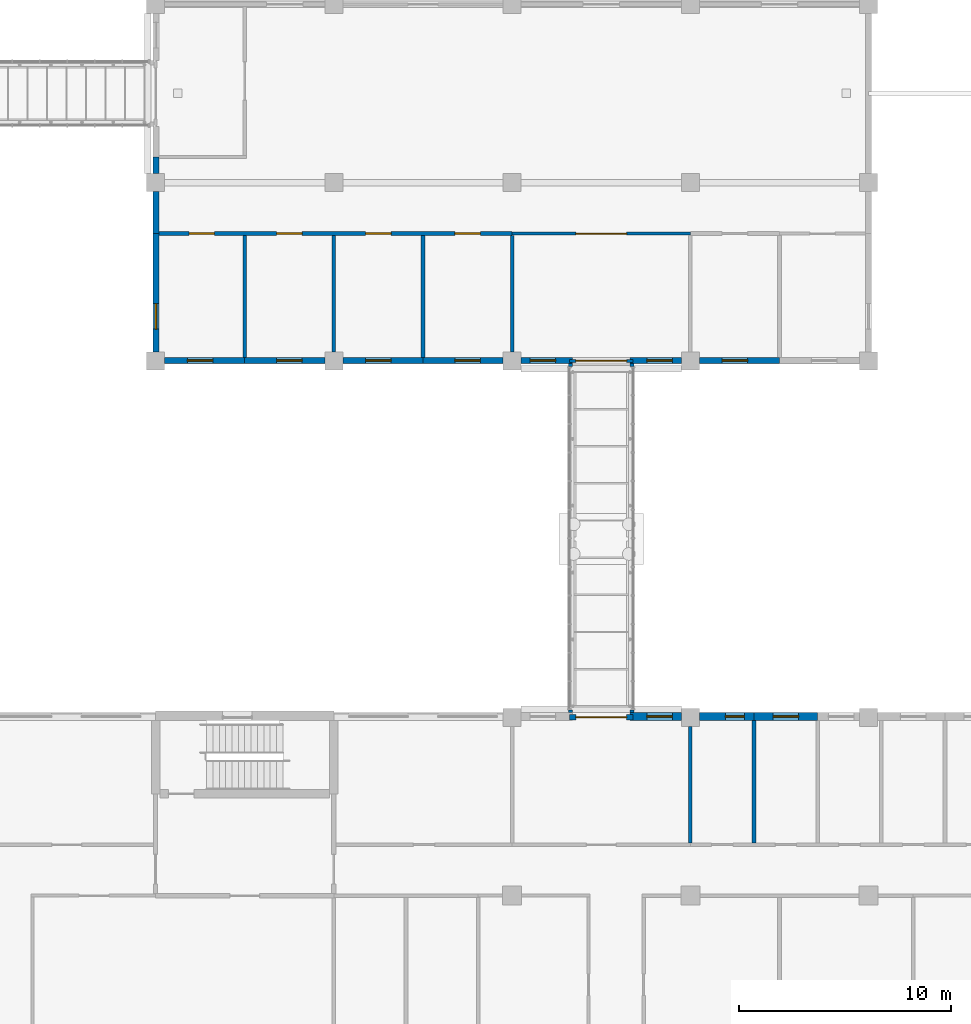
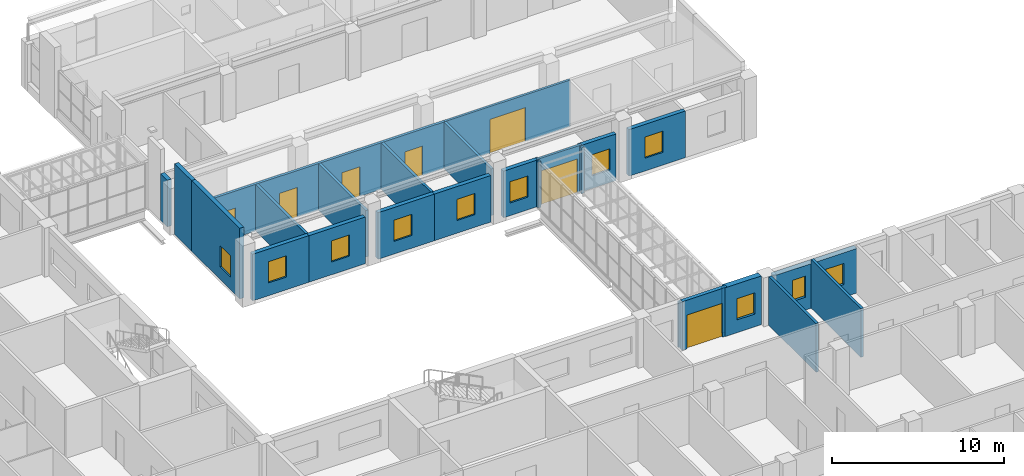
# One storey, part 57 of 94: 27 walls, 11 windows, 7 doors, 18 openings.
"""IFC4 building model written with IfcOpenShell, lengths in metres."""

from ifc_helpers import new_model, si_unit, direction, frame, frame_2d, origin, place, context, subcontext, project, spatial, rectangle, extrude, material, layer, layer_set, type_object, element, fill, save


model = new_model("IFC4")

# Units and contexts
model_context = context("Model", 3, precision=1e-05, world=origin(), true_north=direction((0.0, 1.0)))
body_context = subcontext(model_context, "Body", "Model", "MODEL_VIEW")
ifc_project = project(units=[si_unit("LENGTHUNIT", "METRE"), si_unit("AREAUNIT", "SQUARE_METRE"), si_unit("VOLUMEUNIT", "CUBIC_METRE"), si_unit("PLANEANGLEUNIT", "RADIAN"), si_unit("MASSUNIT", "GRAM", prefix="KILO")], contexts=[model_context])

# Site, building, storey
site_placement = place(None, origin())
site = spatial("IfcSite", under=ifc_project, at=site_placement, CompositionType="ELEMENT")
building_placement = place(site_placement, origin())
building = spatial("IfcBuilding", under=site, at=building_placement, Name="Yavir Park General Hospital", CompositionType="ELEMENT")
storey_placement = place(building_placement, frame((0.0, 0.0, 4.5)))
storey = spatial("IfcBuildingStorey", under=building, at=storey_placement, Name="L01", CompositionType="ELEMENT", Elevation=4.5)

# Wall, openings, doors
ifc_material_1 = material(Name="Double-leaf gypsum board acoustic partition on staggered studs")
ifc_layer_1 = layer(ifc_material_1, 0.175048828125)
ifc_layer_set_1 = layer_set([ifc_layer_1], Name="Double-leaf gypsum board acoustic partition on staggered studs")
wall_type_1 = type_object("IfcWallType", Name="Acoustic partition 175", PredefinedType="PARTITIONING", material=ifc_layer_set_1)
wall_1_placement = place(storey_placement, frame((33.75, 56.39990234375, 0.0), z_axis=(0.0, 0.0, 1.0), x_axis=(1.0, 0.0, 0.0)))
wall_1 = element("IfcWall", 1, at=wall_1_placement, inside=storey, type_object=wall_type_1, Name="AP175 L01-167", PredefinedType="PARTITIONING", context=body_context, shape_type="SweptSolid", body=[
    extrude(rectangle(XDim=16.64990234375, YDim=0.175048828125, at=frame_2d((8.324951171875, 0.0))), origin(), (0.0, 0.0, 1.0), 3.300048828125),
])
opening_1_placement = place(wall_1_placement, frame((1.425048828125, 0.0, 0.0)))
opening_1 = element("IfcOpeningElement", 2, at=opening_1_placement, cuts=wall_1, Name="Opening L01.D145", PredefinedType="OPENING", context=body_context, shape_type="SweptSolid", body=[
    extrude(rectangle(XDim=1.199951171875, YDim=2.10009765625, at=frame_2d((0.60009765625, 1.050048828125))), frame((0.0, 0.097412109375, 0.0), z_axis=(0.0, -1.0, 0.0), x_axis=(1.0, 0.0, 0.0)), (0.0, 0.0, 1.0), 0.195068359375),
])
opening_2_placement = place(wall_1_placement, frame((5.550048828125, 0.0, 0.0)))
opening_2 = element("IfcOpeningElement", 3, at=opening_2_placement, cuts=wall_1, Name="Opening L01.D146", PredefinedType="OPENING", context=body_context, shape_type="SweptSolid", body=[
    extrude(rectangle(XDim=1.199951171875, YDim=2.10009765625, at=frame_2d((0.60009765625, 1.050048828125))), frame((0.0, 0.097412109375, 0.0), z_axis=(0.0, -1.0, 0.0), x_axis=(1.0, 0.0, 0.0)), (0.0, 0.0, 1.0), 0.195068359375),
])
opening_3_placement = place(wall_1_placement, frame((9.75, 0.0, 0.0)))
opening_3 = element("IfcOpeningElement", 4, at=opening_3_placement, cuts=wall_1, Name="Opening L01.D147", PredefinedType="OPENING", context=body_context, shape_type="SweptSolid", body=[
    extrude(rectangle(XDim=1.199951171875, YDim=2.10009765625, at=frame_2d((0.60009765625, 1.050048828125))), frame((0.0, 0.097412109375, 0.0), z_axis=(0.0, -1.0, 0.0), x_axis=(1.0, 0.0, 0.0)), (0.0, 0.0, 1.0), 0.195068359375),
])
opening_4_placement = place(wall_1_placement, frame((13.949951171875, 0.0, 0.0)))
opening_4 = element("IfcOpeningElement", 5, at=opening_4_placement, cuts=wall_1, Name="Opening L01.D148", PredefinedType="OPENING", context=body_context, shape_type="SweptSolid", body=[
    extrude(rectangle(XDim=1.199951171875, YDim=2.10009765625, at=frame_2d((0.60009765625, 1.050048828125))), frame((0.0, 0.097412109375, 0.0), z_axis=(0.0, -1.0, 0.0), x_axis=(1.0, 0.0, 0.0)), (0.0, 0.0, 1.0), 0.195068359375),
])
ifc_material_2 = material(Name="Sealed solid-core acoustic door leaf, Rw 42 dB")
door_type_1 = type_object("IfcDoorType", Name="Acoustic door 1200 x 2100", OperationType="SINGLE_SWING_LEFT", PredefinedType="DOOR", material=ifc_material_2)
door_1_placement = place(opening_1_placement, origin())
door_1 = element("IfcDoor", 6, at=door_1_placement, inside=storey, type_object=door_type_1, Name="L01.D145", OperationType="SINGLE_SWING_RIGHT", OverallHeight=2.10009765625, OverallWidth=1.199951171875, PredefinedType="DOOR", context=body_context, shape_type="SweptSolid", body=[
    extrude(rectangle(XDim=1.199951171875, YDim=2.10009765625, at=frame_2d((0.60009765625, 1.050048828125))), frame((0.0, 0.03515625, 0.0), z_axis=(0.0, -1.0, 0.0), x_axis=(1.0, 0.0, 0.0)), (0.0, 0.0, 1.0), 0.070068359375),
])
fill(opening_1, door_1)
door_2_placement = place(opening_2_placement, origin())
door_2 = element("IfcDoor", 7, at=door_2_placement, inside=storey, type_object=door_type_1, Name="L01.D146", OperationType="SINGLE_SWING_LEFT", OverallHeight=2.10009765625, OverallWidth=1.199951171875, PredefinedType="DOOR", context=body_context, shape_type="SweptSolid", body=[
    extrude(rectangle(XDim=1.199951171875, YDim=2.10009765625, at=frame_2d((0.60009765625, 1.050048828125))), frame((0.0, 0.03515625, 0.0), z_axis=(0.0, -1.0, 0.0), x_axis=(1.0, 0.0, 0.0)), (0.0, 0.0, 1.0), 0.070068359375),
])
fill(opening_2, door_2)
door_3_placement = place(opening_3_placement, origin())
door_3 = element("IfcDoor", 8, at=door_3_placement, inside=storey, type_object=door_type_1, Name="L01.D147", OperationType="SINGLE_SWING_LEFT", OverallHeight=2.10009765625, OverallWidth=1.199951171875, PredefinedType="DOOR", context=body_context, shape_type="SweptSolid", body=[
    extrude(rectangle(XDim=1.199951171875, YDim=2.10009765625, at=frame_2d((0.60009765625, 1.050048828125))), frame((0.0, 0.03515625, 0.0), z_axis=(0.0, -1.0, 0.0), x_axis=(1.0, 0.0, 0.0)), (0.0, 0.0, 1.0), 0.070068359375),
])
fill(opening_3, door_3)
door_4_placement = place(opening_4_placement, origin())
door_4 = element("IfcDoor", 9, at=door_4_placement, inside=storey, type_object=door_type_1, Name="L01.D148", OperationType="SINGLE_SWING_LEFT", OverallHeight=2.10009765625, OverallWidth=1.199951171875, PredefinedType="DOOR", context=body_context, shape_type="SweptSolid", body=[
    extrude(rectangle(XDim=1.199951171875, YDim=2.10009765625, at=frame_2d((0.60009765625, 1.050048828125))), frame((0.0, 0.03515625, 0.0), z_axis=(0.0, -1.0, 0.0), x_axis=(1.0, 0.0, 0.0)), (0.0, 0.0, 1.0), 0.070068359375),
])
fill(opening_4, door_4)

# Walls
wall_2_placement = place(storey_placement, frame((37.800048828125, 50.550048828125, 0.0), z_axis=(0.0, 0.0, 1.0), x_axis=(0.0, 1.0, 0.0)))
element("IfcWall", 10, at=wall_2_placement, inside=storey, type_object=wall_type_1, Name="AP175 L01-332", PredefinedType="PARTITIONING", context=body_context, shape_type="SweptSolid", body=[
    extrude(rectangle(XDim=5.762451171875, YDim=0.175048828125, at=frame_2d((2.88134765625, 0.0))), origin(), (0.0, 0.0, 1.0), 3.300048828125),
])
wall_3_placement = place(storey_placement, frame((42.0, 50.824951171875, 0.0), z_axis=(0.0, 0.0, 1.0), x_axis=(0.0, 1.0, 0.0)))
element("IfcWall", 11, at=wall_3_placement, inside=storey, type_object=wall_type_1, Name="AP175 L01-339", PredefinedType="PARTITIONING", context=body_context, shape_type="SweptSolid", body=[
    extrude(rectangle(XDim=5.487548828125, YDim=0.175048828125, at=frame_2d((2.74365234375, 0.0))), origin(), (0.0, 0.0, 1.0), 3.300048828125),
])
wall_4_placement = place(storey_placement, frame((46.199951171875, 50.550048828125, 0.0), z_axis=(0.0, 0.0, 1.0), x_axis=(0.0, 1.0, 0.0)))
element("IfcWall", 12, at=wall_4_placement, inside=storey, type_object=wall_type_1, Name="AP175 L01-345", PredefinedType="PARTITIONING", context=body_context, shape_type="SweptSolid", body=[
    extrude(rectangle(XDim=5.762451171875, YDim=0.175048828125, at=frame_2d((2.88134765625, 0.0))), origin(), (0.0, 0.0, 1.0), 3.300048828125),
])
wall_5_placement = place(storey_placement, frame((50.39990234375, 50.824951171875, 0.0), z_axis=(0.0, 0.0, 1.0), x_axis=(0.0, 1.0, 0.0)))
element("IfcWall", 13, at=wall_5_placement, inside=storey, type_object=wall_type_1, Name="AP175 L01-350", PredefinedType="PARTITIONING", context=body_context, shape_type="SweptSolid", body=[
    extrude(rectangle(XDim=5.487548828125, YDim=0.175048828125, at=frame_2d((2.74365234375, 0.0))), origin(), (0.0, 0.0, 1.0), 3.300048828125),
])
wall_6_placement = place(storey_placement, frame((58.800048828125, 27.6875, 0.0), z_axis=(0.0, 0.0, 1.0), x_axis=(0.0, 1.0, 0.0)))
element("IfcWall", 14, at=wall_6_placement, inside=storey, type_object=wall_type_1, Name="AP175 L01-361", PredefinedType="PARTITIONING", context=body_context, shape_type="SweptSolid", body=[
    extrude(rectangle(XDim=5.487548828125, YDim=0.175048828125, at=frame_2d((2.74365234375, 0.0))), origin(), (0.0, 0.0, 1.0), 3.449951171875),
])
wall_7_placement = place(storey_placement, frame((61.800048828125, 27.6875, 0.0), z_axis=(0.0, 0.0, 1.0), x_axis=(0.0, 1.0, 0.0)))
element("IfcWall", 15, at=wall_7_placement, inside=storey, type_object=wall_type_1, Name="AP175 L01-368", PredefinedType="PARTITIONING", context=body_context, shape_type="SweptSolid", body=[
    extrude(rectangle(XDim=5.762451171875, YDim=0.175048828125, at=frame_2d((2.88134765625, 0.0))), origin(), (0.0, 0.0, 1.0), 3.449951171875),
])

# Wall, opening, window
ifc_material_3 = material(Name="Brick slip cladding on insulated block backing", Category="masonry")
ifc_layer_2 = layer(ifc_material_3, 0.27490234375)
ifc_layer_set_2 = layer_set([ifc_layer_2], Name="Brick slip cladding on insulated block backing")
wall_type_2 = type_object("IfcWallType", Name="Brick slip faced pavilion wall 275, E 30", PredefinedType="SOLIDWALL", material=ifc_layer_set_2)
wall_8_placement = place(storey_placement, frame((34.02490234375, 50.41259765625, 0.0), z_axis=(0.0, 0.0, 1.0), x_axis=(1.0, 0.0, 0.0)))
wall_8 = element("IfcWall", 16, at=wall_8_placement, inside=storey, type_object=wall_type_2, Name="XW3 L01-089", PredefinedType="SOLIDWALL", context=body_context, shape_type="SweptSolid", body=[
    extrude(rectangle(XDim=3.775146484375, YDim=0.27490234375, at=frame_2d((1.8876953125, 0.0))), origin(), (0.0, 0.0, 1.0), 3.300048828125),
])
opening_5_placement = place(wall_8_placement, frame((1.074951171875, 0.0, 0.89990234375)))
opening_5 = element("IfcOpeningElement", 17, at=opening_5_placement, cuts=wall_8, Name="Opening WD", PredefinedType="OPENING", context=body_context, shape_type="SweptSolid", body=[
    extrude(rectangle(XDim=1.199951171875, YDim=1.5, at=frame_2d((0.60009765625, 0.75))), frame((0.0, 0.1474609375, 0.0), z_axis=(0.0, -1.0, 0.0), x_axis=(1.0, 0.0, 0.0)), (0.0, 0.0, 1.0), 0.294921875),
])
ifc_material_4 = material(Name="Aluminium frame, double glazed unit", Category="aluminium")
window_type_1 = type_object("IfcWindowType", Name="Office window 1200 x 1500", PartitioningType="SINGLE_PANEL", PredefinedType="WINDOW", material=ifc_material_4)
window_1_placement = place(opening_5_placement, origin())
window_1 = element("IfcWindow", 18, at=window_1_placement, inside=storey, type_object=window_type_1, Name="WD L01-055", OverallHeight=1.5, OverallWidth=1.199951171875, PartitioningType="SINGLE_PANEL", PredefinedType="WINDOW", context=body_context, shape_type="SweptSolid", body=[
    extrude(rectangle(XDim=1.199951171875, YDim=1.5, at=frame_2d((0.60009765625, 0.75))), frame((0.0, 0.030029296875, 0.0), z_axis=(0.0, -1.0, 0.0), x_axis=(1.0, 0.0, 0.0)), (0.0, 0.0, 1.0), 0.06005859375),
])
fill(opening_5, window_1)

wall_9_placement = place(storey_placement, frame((37.800048828125, 50.41259765625, 0.0), z_axis=(0.0, 0.0, 1.0), x_axis=(1.0, 0.0, 0.0)))
wall_9 = element("IfcWall", 19, at=wall_9_placement, inside=storey, type_object=wall_type_2, Name="XW3 L01-090", PredefinedType="SOLIDWALL", context=body_context, shape_type="SweptSolid", body=[
    extrude(rectangle(XDim=3.77490234375, YDim=0.27490234375, at=frame_2d((1.887451171875, 0.0))), origin(), (0.0, 0.0, 1.0), 3.300048828125),
])
opening_6_placement = place(wall_9_placement, frame((1.5, 0.0, 0.89990234375)))
opening_6 = element("IfcOpeningElement", 20, at=opening_6_placement, cuts=wall_9, Name="Opening WD", PredefinedType="OPENING", context=body_context, shape_type="SweptSolid", body=[
    extrude(rectangle(XDim=1.199951171875, YDim=1.5, at=frame_2d((0.60009765625, 0.75))), frame((0.0, 0.1474609375, 0.0), z_axis=(0.0, -1.0, 0.0), x_axis=(1.0, 0.0, 0.0)), (0.0, 0.0, 1.0), 0.294921875),
])
window_2_placement = place(opening_6_placement, origin())
window_2 = element("IfcWindow", 21, at=window_2_placement, inside=storey, type_object=window_type_1, Name="WD L01-056", OverallHeight=1.5, OverallWidth=1.199951171875, PartitioningType="SINGLE_PANEL", PredefinedType="WINDOW", context=body_context, shape_type="SweptSolid", body=[
    extrude(rectangle(XDim=1.199951171875, YDim=1.5, at=frame_2d((0.60009765625, 0.75))), frame((0.0, 0.030029296875, 0.0), z_axis=(0.0, -1.0, 0.0), x_axis=(1.0, 0.0, 0.0)), (0.0, 0.0, 1.0), 0.06005859375),
])
fill(opening_6, window_2)

wall_10_placement = place(storey_placement, frame((42.425048828125, 50.41259765625, 0.0), z_axis=(0.0, 0.0, 1.0), x_axis=(1.0, 0.0, 0.0)))
wall_10 = element("IfcWall", 22, at=wall_10_placement, inside=storey, type_object=wall_type_2, Name="XW3 L01-091", PredefinedType="SOLIDWALL", context=body_context, shape_type="SweptSolid", body=[
    extrude(rectangle(XDim=3.77490234375, YDim=0.27490234375, at=frame_2d((1.887451171875, 0.0))), origin(), (0.0, 0.0, 1.0), 3.300048828125),
])
opening_7_placement = place(wall_10_placement, frame((1.074951171875, 0.0, 0.89990234375)))
opening_7 = element("IfcOpeningElement", 23, at=opening_7_placement, cuts=wall_10, Name="Opening WD", PredefinedType="OPENING", context=body_context, shape_type="SweptSolid", body=[
    extrude(rectangle(XDim=1.199951171875, YDim=1.5, at=frame_2d((0.60009765625, 0.75))), frame((0.0, 0.1474609375, 0.0), z_axis=(0.0, -1.0, 0.0), x_axis=(1.0, 0.0, 0.0)), (0.0, 0.0, 1.0), 0.294921875),
])
window_3_placement = place(opening_7_placement, origin())
window_3 = element("IfcWindow", 24, at=window_3_placement, inside=storey, type_object=window_type_1, Name="WD L01-057", OverallHeight=1.5, OverallWidth=1.199951171875, PartitioningType="SINGLE_PANEL", PredefinedType="WINDOW", context=body_context, shape_type="SweptSolid", body=[
    extrude(rectangle(XDim=1.199951171875, YDim=1.5, at=frame_2d((0.60009765625, 0.75))), frame((0.0, 0.030029296875, 0.0), z_axis=(0.0, -1.0, 0.0), x_axis=(1.0, 0.0, 0.0)), (0.0, 0.0, 1.0), 0.06005859375),
])
fill(opening_7, window_3)

wall_11_placement = place(storey_placement, frame((46.199951171875, 50.41259765625, 0.0), z_axis=(0.0, 0.0, 1.0), x_axis=(1.0, 0.0, 0.0)))
wall_11 = element("IfcWall", 25, at=wall_11_placement, inside=storey, type_object=wall_type_2, Name="XW3 L01-092", PredefinedType="SOLIDWALL", context=body_context, shape_type="SweptSolid", body=[
    extrude(rectangle(XDim=3.775146484375, YDim=0.27490234375, at=frame_2d((1.8876953125, 0.0))), origin(), (0.0, 0.0, 1.0), 3.300048828125),
])
opening_8_placement = place(wall_11_placement, frame((1.5, 0.0, 0.89990234375)))
opening_8 = element("IfcOpeningElement", 26, at=opening_8_placement, cuts=wall_11, Name="Opening WD", PredefinedType="OPENING", context=body_context, shape_type="SweptSolid", body=[
    extrude(rectangle(XDim=1.199951171875, YDim=1.5, at=frame_2d((0.60009765625, 0.75))), frame((0.0, 0.1474609375, 0.0), z_axis=(0.0, -1.0, 0.0), x_axis=(1.0, 0.0, 0.0)), (0.0, 0.0, 1.0), 0.294921875),
])
window_4_placement = place(opening_8_placement, origin())
window_4 = element("IfcWindow", 27, at=window_4_placement, inside=storey, type_object=window_type_1, Name="WD L01-058", OverallHeight=1.5, OverallWidth=1.199951171875, PartitioningType="SINGLE_PANEL", PredefinedType="WINDOW", context=body_context, shape_type="SweptSolid", body=[
    extrude(rectangle(XDim=1.199951171875, YDim=1.5, at=frame_2d((0.60009765625, 0.75))), frame((0.0, 0.030029296875, 0.0), z_axis=(0.0, -1.0, 0.0), x_axis=(1.0, 0.0, 0.0)), (0.0, 0.0, 1.0), 0.06005859375),
])
fill(opening_8, window_4)

wall_12_placement = place(storey_placement, frame((50.824951171875, 50.41259765625, 0.0), z_axis=(0.0, 0.0, 1.0), x_axis=(1.0, 0.0, 0.0)))
wall_12 = element("IfcWall", 28, at=wall_12_placement, inside=storey, type_object=wall_type_2, Name="XW3 L01-093", PredefinedType="SOLIDWALL", context=body_context, shape_type="SweptSolid", body=[
    extrude(rectangle(XDim=2.425048828125, YDim=0.27490234375, at=frame_2d((1.21240234375, 0.0))), origin(), (0.0, 0.0, 1.0), 3.300048828125),
])
opening_9_placement = place(wall_12_placement, frame((0.425048828125, 0.0, 0.89990234375)))
opening_9 = element("IfcOpeningElement", 29, at=opening_9_placement, cuts=wall_12, Name="Opening WD", PredefinedType="OPENING", context=body_context, shape_type="SweptSolid", body=[
    extrude(rectangle(XDim=1.199951171875, YDim=1.5, at=frame_2d((0.60009765625, 0.75))), frame((0.0, 0.1474609375, 0.0), z_axis=(0.0, -1.0, 0.0), x_axis=(1.0, 0.0, 0.0)), (0.0, 0.0, 1.0), 0.294921875),
])
window_5_placement = place(opening_9_placement, origin())
window_5 = element("IfcWindow", 30, at=window_5_placement, inside=storey, type_object=window_type_1, Name="WD L01-059", OverallHeight=1.5, OverallWidth=1.199951171875, PartitioningType="SINGLE_PANEL", PredefinedType="WINDOW", context=body_context, shape_type="SweptSolid", body=[
    extrude(rectangle(XDim=1.199951171875, YDim=1.5, at=frame_2d((0.60009765625, 0.75))), frame((0.0, 0.030029296875, 0.0), z_axis=(0.0, -1.0, 0.0), x_axis=(1.0, 0.0, 0.0)), (0.0, 0.0, 1.0), 0.06005859375),
])
fill(opening_9, window_5)

wall_13_placement = place(storey_placement, frame((55.949951171875, 50.41259765625, 0.0), z_axis=(0.0, 0.0, 1.0), x_axis=(1.0, 0.0, 0.0)))
wall_13 = element("IfcWall", 31, at=wall_13_placement, inside=storey, type_object=wall_type_2, Name="XW3 L01-094", PredefinedType="SOLIDWALL", context=body_context, shape_type="SweptSolid", body=[
    extrude(rectangle(XDim=2.425048828125, YDim=0.27490234375, at=frame_2d((1.21240234375, 0.0))), origin(), (0.0, 0.0, 1.0), 3.300048828125),
])
opening_10_placement = place(wall_13_placement, frame((0.800048828125, 0.0, 0.89990234375)))
opening_10 = element("IfcOpeningElement", 32, at=opening_10_placement, cuts=wall_13, Name="Opening WD", PredefinedType="OPENING", context=body_context, shape_type="SweptSolid", body=[
    extrude(rectangle(XDim=1.199951171875, YDim=1.5, at=frame_2d((0.60009765625, 0.75))), frame((0.0, 0.1474609375, 0.0), z_axis=(0.0, -1.0, 0.0), x_axis=(1.0, 0.0, 0.0)), (0.0, 0.0, 1.0), 0.294921875),
])
window_6_placement = place(opening_10_placement, origin())
window_6 = element("IfcWindow", 33, at=window_6_placement, inside=storey, type_object=window_type_1, Name="WD L01-060", OverallHeight=1.5, OverallWidth=1.199951171875, PartitioningType="SINGLE_PANEL", PredefinedType="WINDOW", context=body_context, shape_type="SweptSolid", body=[
    extrude(rectangle(XDim=1.199951171875, YDim=1.5, at=frame_2d((0.60009765625, 0.75))), frame((0.0, 0.030029296875, 0.0), z_axis=(0.0, -1.0, 0.0), x_axis=(1.0, 0.0, 0.0)), (0.0, 0.0, 1.0), 0.06005859375),
])
fill(opening_10, window_6)

wall_14_placement = place(storey_placement, frame((59.22509765625, 50.41259765625, 0.0), z_axis=(0.0, 0.0, 1.0), x_axis=(1.0, 0.0, 0.0)))
wall_14 = element("IfcWall", 34, at=wall_14_placement, inside=storey, type_object=wall_type_2, Name="XW3 L01-095", PredefinedType="SOLIDWALL", context=body_context, shape_type="SweptSolid", body=[
    extrude(rectangle(XDim=3.77490234375, YDim=0.27490234375, at=frame_2d((1.887451171875, 0.0))), origin(), (0.0, 0.0, 1.0), 3.300048828125),
])
opening_11_placement = place(wall_14_placement, frame((1.074951171875, 0.0, 0.89990234375)))
opening_11 = element("IfcOpeningElement", 35, at=opening_11_placement, cuts=wall_14, Name="Opening WD", PredefinedType="OPENING", context=body_context, shape_type="SweptSolid", body=[
    extrude(rectangle(XDim=1.199951171875, YDim=1.5, at=frame_2d((0.60009765625, 0.75))), frame((0.0, 0.1474609375, 0.0), z_axis=(0.0, -1.0, 0.0), x_axis=(1.0, 0.0, 0.0)), (0.0, 0.0, 1.0), 0.294921875),
])
window_7_placement = place(opening_11_placement, origin())
window_7 = element("IfcWindow", 36, at=window_7_placement, inside=storey, type_object=window_type_1, Name="WD L01-061", OverallHeight=1.5, OverallWidth=1.199951171875, PartitioningType="SINGLE_PANEL", PredefinedType="WINDOW", context=body_context, shape_type="SweptSolid", body=[
    extrude(rectangle(XDim=1.199951171875, YDim=1.5, at=frame_2d((0.60009765625, 0.75))), frame((0.0, 0.030029296875, 0.0), z_axis=(0.0, -1.0, 0.0), x_axis=(1.0, 0.0, 0.0)), (0.0, 0.0, 1.0), 0.06005859375),
])
fill(opening_11, window_7)

wall_15_placement = place(storey_placement, frame((33.612548828125, 50.824951171875, 0.0), z_axis=(0.0, 0.0, 1.0), x_axis=(0.0, 1.0, 0.0)))
wall_15 = element("IfcWall", 37, at=wall_15_placement, inside=storey, type_object=wall_type_2, Name="XW3 L01-173", PredefinedType="SOLIDWALL", context=body_context, shape_type="SweptSolid", body=[
    extrude(rectangle(XDim=5.574951171875, YDim=0.27490234375, at=frame_2d((2.78759765625, 0.0))), origin(), (0.0, 0.0, 1.0), 5.0),
])
opening_12_placement = place(wall_15_placement, frame((1.074951171875, 0.0, 0.89990234375)))
opening_12 = element("IfcOpeningElement", 38, at=opening_12_placement, cuts=wall_15, Name="Opening WD", PredefinedType="OPENING", context=body_context, shape_type="SweptSolid", body=[
    extrude(rectangle(XDim=1.199951171875, YDim=1.5, at=frame_2d((0.60009765625, 0.75))), frame((0.0, 0.1474609375, 0.0), z_axis=(0.0, -1.0, 0.0), x_axis=(1.0, 0.0, 0.0)), (0.0, 0.0, 1.0), 0.294921875),
])
window_8_placement = place(opening_12_placement, origin())
window_8 = element("IfcWindow", 39, at=window_8_placement, inside=storey, type_object=window_type_1, Name="WD L01-100", OverallHeight=1.5, OverallWidth=1.199951171875, PartitioningType="SINGLE_PANEL", PredefinedType="WINDOW", context=body_context, shape_type="SweptSolid", body=[
    extrude(rectangle(XDim=1.199951171875, YDim=1.5, at=frame_2d((0.60009765625, 0.75))), frame((0.0, 0.030029296875, 0.0), z_axis=(0.0, -1.0, 0.0), x_axis=(1.0, 0.0, 0.0)), (0.0, 0.0, 1.0), 0.06005859375),
])
fill(opening_12, window_8)

# Walls
wall_16_placement = place(storey_placement, frame((33.612548828125, 56.39990234375, 0.0), z_axis=(0.0, 0.0, 1.0), x_axis=(0.0, 1.0, 0.0)))
element("IfcWall", 40, at=wall_16_placement, inside=storey, type_object=wall_type_2, Name="XW3 L01-174", PredefinedType="SOLIDWALL", context=body_context, shape_type="SweptSolid", body=[
    extrude(rectangle(XDim=1.97509765625, YDim=0.27490234375, at=frame_2d((0.987548828125, 0.0))), origin(), (0.0, 0.0, 1.0), 5.0),
])
wall_17_placement = place(storey_placement, frame((33.612548828125, 59.22509765625, 0.0), z_axis=(0.0, 0.0, 1.0), x_axis=(0.0, 1.0, 0.0)))
element("IfcWall", 41, at=wall_17_placement, inside=storey, type_object=wall_type_2, Name="XW3 L01-175", PredefinedType="SOLIDWALL", context=body_context, shape_type="SweptSolid", body=[
    extrude(rectangle(XDim=0.77490234375, YDim=0.27490234375, at=frame_2d((0.387451171875, 0.0))), origin(), (0.0, 0.0, 1.0), 3.300048828125),
])

# Wall, opening, door
ifc_material_5 = material(Name="Concrete C30/37", Category="concrete")
ifc_layer_3 = layer(ifc_material_5, 0.25)
ifc_layer_set_3 = layer_set([ifc_layer_3], Name="Concrete C30/37")
wall_type_3 = type_object("IfcWallType", Name="Compartment fire wall 250, REI 150", PredefinedType="SOLIDWALL", material=ifc_layer_set_3)
wall_18_placement = place(storey_placement, frame((53.10009765625, 33.60009765625, 0.0), z_axis=(0.0, 0.0, 1.0), x_axis=(1.0, 0.0, 0.0)))
wall_18 = element("IfcWall", 42, at=wall_18_placement, inside=storey, type_object=wall_type_3, Name="FW25 L01-131", PredefinedType="SOLIDWALL", context=body_context, shape_type="SweptSolid", body=[
    extrude(rectangle(XDim=3.0, YDim=0.25, at=frame_2d((1.5, 0.0))), origin(), (0.0, 0.0, 1.0), 3.449951171875),
])
opening_13_placement = place(wall_18_placement, frame((0.300048828125, 0.0, 0.0)))
opening_13 = element("IfcOpeningElement", 43, at=opening_13_placement, cuts=wall_18, Name="Opening L01.D143", PredefinedType="OPENING", context=body_context, shape_type="SweptSolid", body=[
    extrude(rectangle(XDim=2.39990234375, YDim=2.39990234375, at=frame_2d((1.199951171875, 1.199951171875))), frame((0.0, 0.135009765625, 0.0), z_axis=(0.0, -1.0, 0.0), x_axis=(1.0, 0.0, 0.0)), (0.0, 0.0, 1.0), 0.27001953125),
])
ifc_material_6 = material(Name="Steel frame, fire-resisting timber leaves", Category="steel")
door_type_2 = type_object("IfcDoorType", Name="Double fire door 2400 x 2400, EI 60", OperationType="DOUBLE_DOOR_SINGLE_SWING", PredefinedType="DOOR", material=ifc_material_6)
door_5_placement = place(opening_13_placement, origin())
door_5 = element("IfcDoor", 44, at=door_5_placement, inside=storey, type_object=door_type_2, Name="L01.D143", OperationType="SINGLE_SWING_LEFT", OverallHeight=2.39990234375, OverallWidth=2.39990234375, PredefinedType="DOOR", context=body_context, shape_type="SweptSolid", body=[
    extrude(rectangle(XDim=2.39990234375, YDim=2.39990234375, at=frame_2d((1.199951171875, 1.199951171875))), frame((0.0, 0.02490234375, 0.0), z_axis=(0.0, -1.0, 0.0), x_axis=(1.0, 0.0, 0.0)), (0.0, 0.0, 1.0), 0.050048828125),
])
fill(opening_13, door_5)

# Walls
ifc_material_7 = material(Name="Aluminium glazing frame wall with insulated infill", Category="aluminium")
ifc_layer_4 = layer(ifc_material_7, 0.199951171875)
ifc_layer_set_4 = layer_set([ifc_layer_4], Name="Aluminium glazing frame wall with insulated infill")
wall_type_4 = type_object("IfcWallType", Name="Glazing frame wall 200, E 30", PredefinedType="SOLIDWALL", material=ifc_layer_set_4)
wall_19_placement = place(storey_placement, frame((53.14990234375, 33.824951171875, 0.0), z_axis=(0.0, 0.0, 1.0), x_axis=(0.0, 1.0, 0.0)))
element("IfcWall", 45, at=wall_19_placement, inside=storey, type_object=wall_type_4, Name="XW9 L01-182", PredefinedType="SOLIDWALL", context=body_context, shape_type="SweptSolid", body=[
    extrude(rectangle(XDim=0.125, YDim=0.199951171875, at=frame_2d((0.0625, 0.0))), origin(), (0.0, 0.0, 1.0), 3.25),
])
wall_20_placement = place(storey_placement, frame((53.14990234375, 50.125, 0.0), z_axis=(0.0, 0.0, 1.0), x_axis=(0.0, 1.0, 0.0)))
element("IfcWall", 46, at=wall_20_placement, inside=storey, type_object=wall_type_4, Name="XW9 L01-183", PredefinedType="SOLIDWALL", context=body_context, shape_type="SweptSolid", body=[
    extrude(rectangle(XDim=0.14990234375, YDim=0.199951171875, at=frame_2d((0.074951171875, 0.0))), origin(), (0.0, 0.0, 1.0), 3.25),
])
wall_21_placement = place(storey_placement, frame((56.050048828125, 33.824951171875, 0.0), z_axis=(0.0, 0.0, 1.0), x_axis=(0.0, 1.0, 0.0)))
element("IfcWall", 47, at=wall_21_placement, inside=storey, type_object=wall_type_4, Name="XW9 L01-184", PredefinedType="SOLIDWALL", context=body_context, shape_type="SweptSolid", body=[
    extrude(rectangle(XDim=0.125, YDim=0.199951171875, at=frame_2d((0.0625, 0.0))), origin(), (0.0, 0.0, 1.0), 3.25),
])
wall_22_placement = place(storey_placement, frame((56.050048828125, 50.125, 0.0), z_axis=(0.0, 0.0, 1.0), x_axis=(0.0, 1.0, 0.0)))
element("IfcWall", 48, at=wall_22_placement, inside=storey, type_object=wall_type_4, Name="XW9 L01-185", PredefinedType="SOLIDWALL", context=body_context, shape_type="SweptSolid", body=[
    extrude(rectangle(XDim=0.14990234375, YDim=0.199951171875, at=frame_2d((0.074951171875, 0.0))), origin(), (0.0, 0.0, 1.0), 3.25),
])

# Wall, opening, door
ifc_material_8 = material(Name="Gypsum board partition on steel studs", Category="steel")
ifc_layer_5 = layer(ifc_material_8, 0.14990234375)
ifc_layer_set_5 = layer_set([ifc_layer_5], Name="Gypsum board partition on steel studs")
wall_type_5 = type_object("IfcWallType", Name="Gypsum board partition 150", PredefinedType="PARTITIONING", material=ifc_layer_set_5)
wall_23_placement = place(storey_placement, frame((53.10009765625, 50.39990234375, 0.0), z_axis=(0.0, 0.0, 1.0), x_axis=(1.0, 0.0, 0.0)))
wall_23 = element("IfcWall", 49, at=wall_23_placement, inside=storey, type_object=wall_type_5, Name="P15 L01-157", PredefinedType="PARTITIONING", context=body_context, shape_type="SweptSolid", body=[
    extrude(rectangle(XDim=3.0, YDim=0.14990234375, at=frame_2d((1.5, 0.0))), origin(), (0.0, 0.0, 1.0), 3.300048828125),
])
opening_14_placement = place(wall_23_placement, frame((0.300048828125, 0.0, 0.0)))
opening_14 = element("IfcOpeningElement", 50, at=opening_14_placement, cuts=wall_23, Name="Opening L01.D144", PredefinedType="OPENING", context=body_context, shape_type="SweptSolid", body=[
    extrude(rectangle(XDim=2.39990234375, YDim=2.39990234375, at=frame_2d((1.199951171875, 1.199951171875))), frame((0.0, 0.0849609375, 0.0), z_axis=(0.0, -1.0, 0.0), x_axis=(1.0, 0.0, 0.0)), (0.0, 0.0, 1.0), 0.169921875),
])
ifc_material_9 = material(Name="Aluminium frame, toughened glass leaves", Category="aluminium")
door_type_3 = type_object("IfcDoorType", Name="Double sliding door 2400 x 2400", OperationType="DOUBLE_DOOR_SLIDING", PredefinedType="DOOR", material=ifc_material_9)
door_6_placement = place(opening_14_placement, origin())
door_6 = element("IfcDoor", 51, at=door_6_placement, inside=storey, type_object=door_type_3, Name="L01.D144", OperationType="DOUBLE_DOOR_SLIDING", OverallHeight=2.39990234375, OverallWidth=2.39990234375, PredefinedType="DOOR", context=body_context, shape_type="SweptSolid", body=[
    extrude(rectangle(XDim=2.39990234375, YDim=2.39990234375, at=frame_2d((1.199951171875, 1.199951171875))), frame((0.0, 0.02490234375, 0.0), z_axis=(0.0, -1.0, 0.0), x_axis=(1.0, 0.0, 0.0)), (0.0, 0.0, 1.0), 0.050048828125),
])
fill(opening_14, door_6)

wall_24_placement = place(storey_placement, frame((50.39990234375, 56.39990234375, 0.0), z_axis=(0.0, 0.0, 1.0), x_axis=(1.0, 0.0, 0.0)))
wall_24 = element("IfcWall", 52, at=wall_24_placement, inside=storey, type_object=wall_type_5, Name="P15 L01-168", PredefinedType="PARTITIONING", context=body_context, shape_type="SweptSolid", body=[
    extrude(rectangle(XDim=8.400146484375, YDim=0.14990234375, at=frame_2d((4.2001953125, 0.0))), origin(), (0.0, 0.0, 1.0), 3.300048828125),
])
opening_15_placement = place(wall_24_placement, frame((3.0, 0.0, 0.0)))
opening_15 = element("IfcOpeningElement", 53, at=opening_15_placement, cuts=wall_24, Name="Opening L01.D149", PredefinedType="OPENING", context=body_context, shape_type="SweptSolid", body=[
    extrude(rectangle(XDim=2.39990234375, YDim=2.39990234375, at=frame_2d((1.199951171875, 1.199951171875))), frame((0.0, 0.0849609375, 0.0), z_axis=(0.0, -1.0, 0.0), x_axis=(1.0, 0.0, 0.0)), (0.0, 0.0, 1.0), 0.169921875),
])
door_7_placement = place(opening_15_placement, origin())
door_7 = element("IfcDoor", 54, at=door_7_placement, inside=storey, type_object=door_type_3, Name="L01.D149", OperationType="DOUBLE_DOOR_SLIDING", OverallHeight=2.39990234375, OverallWidth=2.39990234375, PredefinedType="DOOR", context=body_context, shape_type="SweptSolid", body=[
    extrude(rectangle(XDim=2.39990234375, YDim=2.39990234375, at=frame_2d((1.199951171875, 1.199951171875))), frame((0.0, 0.02490234375, 0.0), z_axis=(0.0, -1.0, 0.0), x_axis=(1.0, 0.0, 0.0)), (0.0, 0.0, 1.0), 0.050048828125),
])
fill(opening_15, door_7)

# Wall, opening, window
ifc_material_10 = material(Name="Autoclaved aerated block, 150 mm mineral wool and sand-coloured mineral render")
ifc_layer_6 = layer(ifc_material_10, 0.375)
ifc_layer_set_6 = layer_set([ifc_layer_6], Name="Autoclaved aerated block, 150 mm mineral wool and sand-coloured mineral render")
wall_type_6 = type_object("IfcWallType", Name="Mineral render clinical wall 375, E 30", PredefinedType="SOLIDWALL", material=ifc_layer_set_6)
wall_25_placement = place(storey_placement, frame((55.949951171875, 33.637451171875, 0.0), z_axis=(0.0, 0.0, 1.0), x_axis=(1.0, 0.0, 0.0)))
wall_25 = element("IfcWall", 55, at=wall_25_placement, inside=storey, type_object=wall_type_6, Name="XW1 L01-058", PredefinedType="SOLIDWALL", context=body_context, shape_type="SweptSolid", body=[
    extrude(rectangle(XDim=2.425048828125, YDim=0.375, at=frame_2d((1.21240234375, 0.0))), origin(), (0.0, 0.0, 1.0), 3.449951171875),
])
opening_16_placement = place(wall_25_placement, frame((0.800048828125, 0.0, 0.89990234375)))
opening_16 = element("IfcOpeningElement", 56, at=opening_16_placement, cuts=wall_25, Name="Opening WD", PredefinedType="OPENING", context=body_context, shape_type="SweptSolid", body=[
    extrude(rectangle(XDim=1.199951171875, YDim=1.5, at=frame_2d((0.60009765625, 0.75))), frame((0.0, 0.197509765625, 0.0), z_axis=(0.0, -1.0, 0.0), x_axis=(1.0, 0.0, 0.0)), (0.0, 0.0, 1.0), 0.39501953125),
])
window_9_placement = place(opening_16_placement, origin())
window_9 = element("IfcWindow", 57, at=window_9_placement, inside=storey, type_object=window_type_1, Name="WD L01-033", OverallHeight=1.5, OverallWidth=1.199951171875, PartitioningType="SINGLE_PANEL", PredefinedType="WINDOW", context=body_context, shape_type="SweptSolid", body=[
    extrude(rectangle(XDim=1.199951171875, YDim=1.5, at=frame_2d((0.60009765625, 0.75))), frame((0.0, 0.030029296875, 0.0), z_axis=(0.0, -1.0, 0.0), x_axis=(1.0, 0.0, 0.0)), (0.0, 0.0, 1.0), 0.06005859375),
])
fill(opening_16, window_9)

wall_26_placement = place(storey_placement, frame((59.22509765625, 33.637451171875, 0.0), z_axis=(0.0, 0.0, 1.0), x_axis=(1.0, 0.0, 0.0)))
wall_26 = element("IfcWall", 58, at=wall_26_placement, inside=storey, type_object=wall_type_6, Name="XW1 L01-059", PredefinedType="SOLIDWALL", context=body_context, shape_type="SweptSolid", body=[
    extrude(rectangle(XDim=2.574951171875, YDim=0.375, at=frame_2d((1.28759765625, 0.0))), origin(), (0.0, 0.0, 1.0), 3.14990234375),
])
opening_17_placement = place(wall_26_placement, frame((1.22509765625, 0.0, 0.89990234375)))
opening_17 = element("IfcOpeningElement", 59, at=opening_17_placement, cuts=wall_26, Name="Opening WH", PredefinedType="OPENING", context=body_context, shape_type="SweptSolid", body=[
    extrude(rectangle(XDim=0.89990234375, YDim=1.5, at=frame_2d((0.449951171875, 0.75))), frame((0.0, 0.197509765625, 0.0), z_axis=(0.0, -1.0, 0.0), x_axis=(1.0, 0.0, 0.0)), (0.0, 0.0, 1.0), 0.39501953125),
])
ifc_material_11 = material(Name="Aluminium frame, double glazed unit", Category="aluminium")
window_type_2 = type_object("IfcWindowType", Name="Narrow window 900 x 1500", PartitioningType="SINGLE_PANEL", PredefinedType="WINDOW", material=ifc_material_11)
window_10_placement = place(opening_17_placement, origin())
window_10 = element("IfcWindow", 60, at=window_10_placement, inside=storey, type_object=window_type_2, Name="WH L01-034", OverallHeight=1.5, OverallWidth=0.89990234375, PartitioningType="SINGLE_PANEL", PredefinedType="WINDOW", context=body_context, shape_type="SweptSolid", body=[
    extrude(rectangle(XDim=0.89990234375, YDim=1.5, at=frame_2d((0.449951171875, 0.75))), frame((0.0, 0.030029296875, 0.0), z_axis=(0.0, -1.0, 0.0), x_axis=(1.0, 0.0, 0.0)), (0.0, 0.0, 1.0), 0.06005859375),
])
fill(opening_17, window_10)

wall_27_placement = place(storey_placement, frame((61.800048828125, 33.637451171875, 0.0), z_axis=(0.0, 0.0, 1.0), x_axis=(1.0, 0.0, 0.0)))
wall_27 = element("IfcWall", 61, at=wall_27_placement, inside=storey, type_object=wall_type_6, Name="XW1 L01-060", PredefinedType="SOLIDWALL", context=body_context, shape_type="SweptSolid", body=[
    extrude(rectangle(XDim=3.0, YDim=0.375, at=frame_2d((1.5, 0.0))), origin(), (0.0, 0.0, 1.0), 3.14990234375),
])
opening_18_placement = place(wall_27_placement, frame((0.89990234375, 0.0, 0.89990234375)))
opening_18 = element("IfcOpeningElement", 62, at=opening_18_placement, cuts=wall_27, Name="Opening WD", PredefinedType="OPENING", context=body_context, shape_type="SweptSolid", body=[
    extrude(rectangle(XDim=1.199951171875, YDim=1.5, at=frame_2d((0.60009765625, 0.75))), frame((0.0, 0.197509765625, 0.0), z_axis=(0.0, -1.0, 0.0), x_axis=(1.0, 0.0, 0.0)), (0.0, 0.0, 1.0), 0.39501953125),
])
window_11_placement = place(opening_18_placement, origin())
window_11 = element("IfcWindow", 63, at=window_11_placement, inside=storey, type_object=window_type_1, Name="WD L01-035", OverallHeight=1.5, OverallWidth=1.199951171875, PartitioningType="SINGLE_PANEL", PredefinedType="WINDOW", context=body_context, shape_type="SweptSolid", body=[
    extrude(rectangle(XDim=1.199951171875, YDim=1.5, at=frame_2d((0.60009765625, 0.75))), frame((0.0, 0.030029296875, 0.0), z_axis=(0.0, -1.0, 0.0), x_axis=(1.0, 0.0, 0.0)), (0.0, 0.0, 1.0), 0.06005859375),
])
fill(opening_18, window_11)

save(model, "model.ifc")
